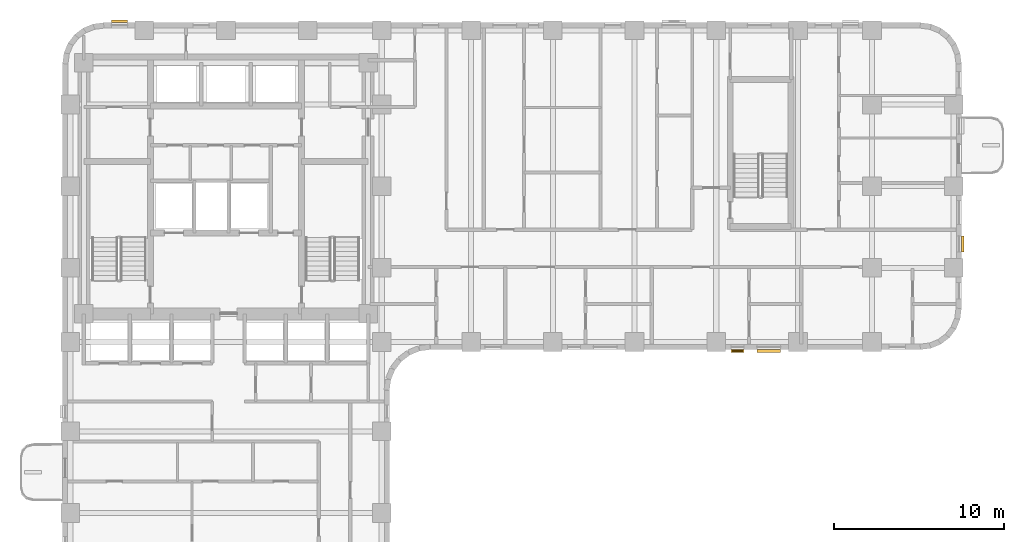
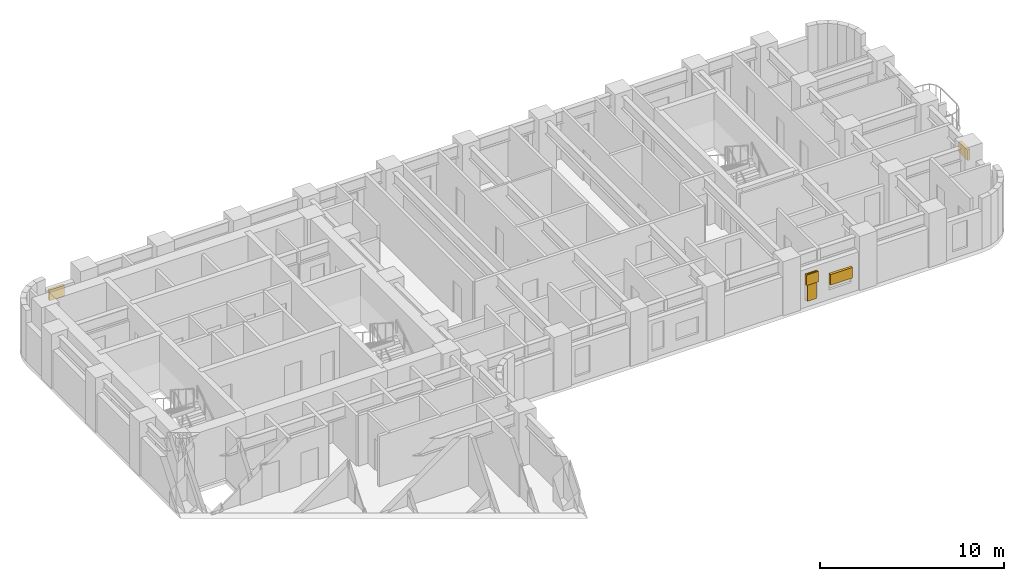
# One storey, part 10 of 11: 5 shading devices.
"""IFC4 building model written with IfcOpenShell, lengths in metres."""

from ifc_helpers import new_model, si_unit, direction, frame, origin, origin_2d, place, context, subcontext, project, spatial, rectangle, extrude, material, type_object, element, save


model = new_model("IFC4")

# Units and contexts
model_context = context("Model", 3, precision=1e-05, world=origin(), true_north=direction((0.0, 1.0)))
body_context = subcontext(model_context, "Body", "Model", "MODEL_VIEW")
ifc_project = project(units=[si_unit("LENGTHUNIT", "METRE"), si_unit("AREAUNIT", "SQUARE_METRE"), si_unit("VOLUMEUNIT", "CUBIC_METRE"), si_unit("PLANEANGLEUNIT", "RADIAN"), si_unit("MASSUNIT", "GRAM", prefix="KILO")], contexts=[model_context])

# Site, building, storey
site_placement = place(None, origin())
site = spatial("IfcSite", under=ifc_project, at=site_placement, CompositionType="ELEMENT")
building_placement = place(site_placement, origin())
building = spatial("IfcBuilding", under=site, at=building_placement, Name="Orvandelia Arch Residences", CompositionType="ELEMENT")
storey_placement = place(building_placement, frame((0.0, 0.0, 79.0)))
storey = spatial("IfcBuildingStorey", under=building, at=storey_placement, Name="L20", CompositionType="ELEMENT", Elevation=79.0)

# Shading devices
ifc_material_1 = material(Name="Anodised Champagne-Bronze Extruded Aluminium", Category="aluminium")
shading_device_type_1 = type_object("IfcShadingDeviceType", Name="SHD-JALOUSIE-SCREEN", PredefinedType="JALOUSIE", material=ifc_material_1)
for number, where, z_axis, x_axis, name in (
    (1, (8.14501953125, 48.080078125, 1.5498046875), (0.0, 0.0, 1.0), (1.0, 0.0, 0.0), "Bronze Jalousie Sun-Shade L20-002"),
    (2, (57.679931640625, 35.010009765625, 1.5498046875), (0.0, 0.0, 1.0), (0.0, -1.0, 0.0), "Bronze Jalousie Sun-Shade L20-004"),
):
    element("IfcShadingDevice", number, at=place(storey_placement, frame(where, z_axis=z_axis, x_axis=x_axis)), inside=storey, type_object=shading_device_type_1, Name=name, PredefinedType="JALOUSIE", context=body_context, shape_type="SweptSolid", body=[
        extrude(rectangle(XDim=0.949951171875, YDim=0.159912109375, at=origin_2d()), origin(), (0.0, 0.0, 1.0), 0.699951171875),
    ])
shading_device_1_placement = place(storey_placement, frame((44.450927734375, 28.719970703125, 1.5498046875), z_axis=(0.0, 0.0, 1.0), x_axis=(-1.0, 0.0, 0.0)))
element("IfcShadingDevice", 3, at=shading_device_1_placement, inside=storey, type_object=shading_device_type_1, Name="Bronze Jalousie Sun-Shade L20-006", PredefinedType="JALOUSIE", context=body_context, shape_type="SweptSolid", body=[
    extrude(rectangle(XDim=0.75, YDim=0.159912109375, at=origin_2d()), origin(), (0.0, 0.0, 1.0), 0.699951171875),
])
shading_device_2_placement = place(storey_placement, frame((46.281005859375, 28.719970703125, 1.0498046875), z_axis=(0.0, 0.0, 1.0), x_axis=(-1.0, 0.0, 0.0)))
element("IfcShadingDevice", 4, at=shading_device_2_placement, inside=storey, type_object=shading_device_type_1, Name="Bronze Jalousie Sun-Shade L20-007", PredefinedType="JALOUSIE", context=body_context, shape_type="SweptSolid", body=[
    extrude(rectangle(XDim=1.39990234375, YDim=0.159912109375, at=origin_2d()), origin(), (0.0, 0.0, 1.0), 0.699951171875),
])
ifc_material_2 = material(Name="Marine-Grade Perforated Aluminium Storm Shutter", Category="aluminium")
shading_device_type_2 = type_object("IfcShadingDeviceType", Name="SHD-STORM-SHUTTER", PredefinedType="SHUTTER", material=ifc_material_2)
shading_device_3_placement = place(storey_placement, frame((44.450927734375, 28.719970703125, 0.4501953125), z_axis=(0.0, 0.0, 1.0), x_axis=(-1.0, 0.0, 0.0)))
element("IfcShadingDevice", 5, at=shading_device_3_placement, inside=storey, type_object=shading_device_type_2, Name="Operable Typhoon Storm Shutter L20-006", PredefinedType="SHUTTER", context=body_context, shape_type="SweptSolid", body=[
    extrude(rectangle(XDim=0.550048828125, YDim=0.080078125, at=origin_2d()), origin(), (0.0, 0.0, 1.0), 1.800048828125),
])

save(model, "model.ifc")
